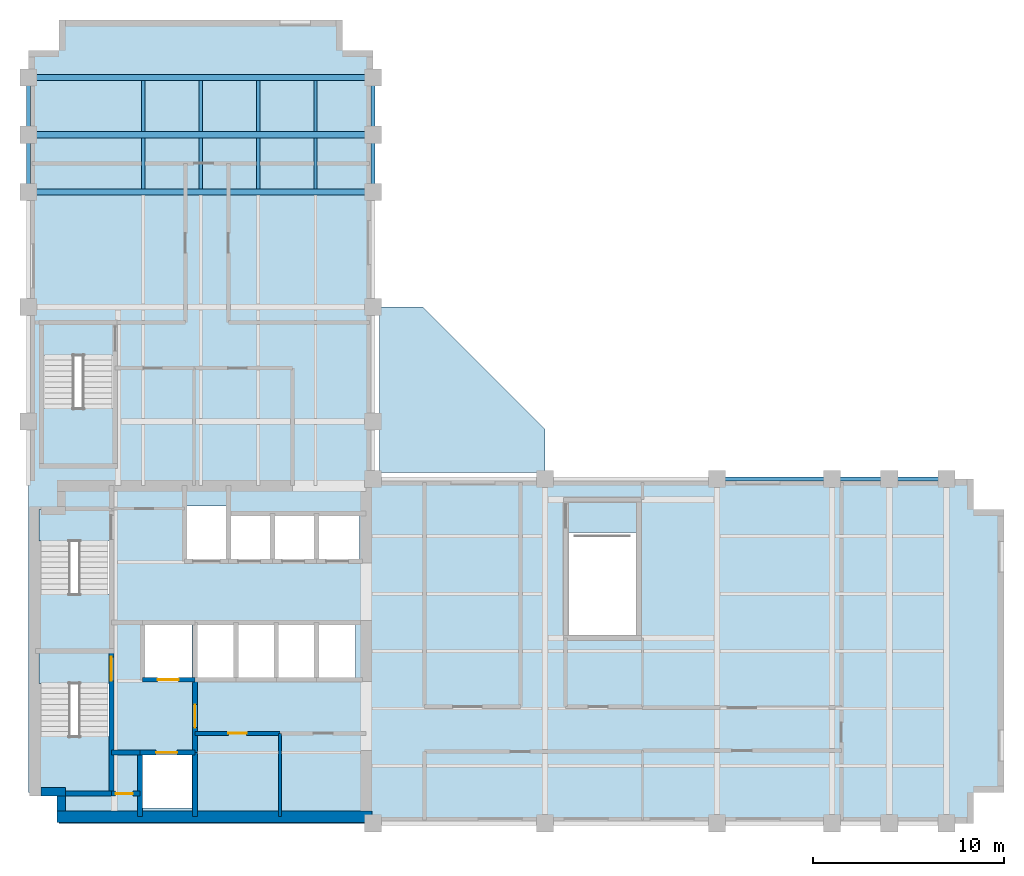
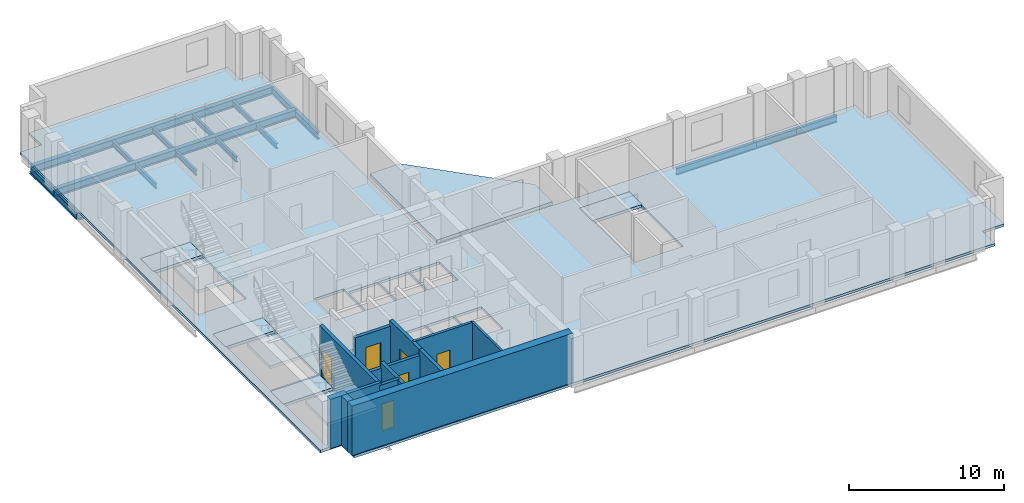
# One storey, part 2 of 6: 18 beams, 14 walls, 9 slabs, 6 doors, 6 openings, 3 elements without a shape of their own.
"""IFC4 building model written with IfcOpenShell, lengths in metres."""

from ifc_helpers import new_model, si_unit, direction, frame, frame_2d, origin, origin_2d, place, context, subcontext, project, spatial, polyline, rectangle, i_section, outline, extrude, material, layer, layer_set, material_profile, profile_set, type_object, element, fill, aggregate, save


model = new_model("IFC4")

# Units and contexts
model_context = context("Model", 3, precision=1e-05, world=origin(), true_north=direction((0.0, 1.0)))
body_context = subcontext(model_context, "Body", "Model", "MODEL_VIEW")
ifc_project = project(units=[si_unit("LENGTHUNIT", "METRE"), si_unit("AREAUNIT", "SQUARE_METRE"), si_unit("VOLUMEUNIT", "CUBIC_METRE"), si_unit("PLANEANGLEUNIT", "RADIAN"), si_unit("MASSUNIT", "GRAM", prefix="KILO")], contexts=[model_context])

# Site, building, storey
site_placement = place(None, origin())
site = spatial("IfcSite", under=ifc_project, at=site_placement, CompositionType="ELEMENT")
building_placement = place(site_placement, origin())
building = spatial("IfcBuilding", under=site, at=building_placement, Name="Mawjdan Bourse Tower", CompositionType="ELEMENT")
storey_placement = place(building_placement, frame((0.0, 0.0, 164.39990234375)))
storey = spatial("IfcBuildingStorey", under=building, at=storey_placement, Name="L39", CompositionType="ELEMENT", Elevation=164.39990234375)

# Beams
ifc_material_1 = material(Name="Structural Steel S355", Category="steel")
ifc_material_profile_1 = material_profile(ifc_material_1, i_section(OverallWidth=0.324951171875, OverallDepth=0.616943359375, WebThickness=0.013916015625, FlangeThickness=0.021484375, FilletRadius=0.017333984375, at=origin_2d()), Name="W24X117")
ifc_profile_set_1 = profile_set([ifc_material_profile_1], Name="Structural Steel S355")
beam_type_1 = type_object("IfcBeamType", Name="GRD-W24X117", PredefinedType="BEAM", material=ifc_profile_set_1)
for number, where, z_axis, x_axis, name in (
    (1, (6.0, 36.0, -0.50830078125), (1.0, 0.0, 0.0), (0.0, 1.0, 0.0), "L39 North Wing Clear-Span Girder 051"),
    (2, (6.0, 39.0, -0.50830078125), (1.0, 0.0, 0.0), (0.0, 1.0, 0.0), "L39 North Wing Clear-Span Girder 052"),
    (3, (6.0, 42.0, -0.50830078125), (1.0, 0.0, 0.0), (0.0, 1.0, 0.0), "L39 North Wing Clear-Span Girder 053"),
):
    element("IfcBeam", number, at=place(storey_placement, frame(where, z_axis=z_axis, x_axis=x_axis)), inside=storey, type_object=beam_type_1, Name=name, PredefinedType="BEAM", context=body_context, shape_type="SweptSolid", body=[
        extrude(i_section(OverallWidth=0.324951171875, OverallDepth=0.616943359375, WebThickness=0.013916015625, FlangeThickness=0.021484375, FilletRadius=0.017333984375, at=origin_2d()), origin(), (0.0, 0.0, 1.0), 18.0),
    ])
ifc_material_profile_2 = material_profile(ifc_material_1, i_section(OverallWidth=0.177978515625, OverallDepth=0.406982421875, WebThickness=0.0078125, FlangeThickness=0.0126953125, FilletRadius=0.01025390625, at=origin_2d()), Name="W16X40")
ifc_profile_set_2 = profile_set([ifc_material_profile_2], Name="Structural Steel S355")
beam_type_2 = type_object("IfcBeamType", Name="JST-W16X40", PredefinedType="JOIST", material=ifc_profile_set_2)
for number, where, z_axis, x_axis, name in (
    (4, (12.0, 36.160400390625, -0.4033203125), (0.0, 1.0, 0.0), (-1.0, 0.0, 0.0), "L39 North Wing Composite Joist 067"),
    (5, (12.0, 39.160400390625, -0.4033203125), (0.0, 1.0, 0.0), (-1.0, 0.0, 0.0), "L39 North Wing Composite Joist 068"),
    (6, (15.0, 36.160400390625, -0.4033203125), (0.0, 1.0, 0.0), (-1.0, 0.0, 0.0), "L39 North Wing Composite Joist 072"),
    (7, (15.0, 39.160400390625, -0.4033203125), (0.0, 1.0, 0.0), (-1.0, 0.0, 0.0), "L39 North Wing Composite Joist 073"),
    (8, (18.0, 36.160400390625, -0.4033203125), (0.0, 1.0, 0.0), (-1.0, 0.0, 0.0), "L39 North Wing Composite Joist 077"),
    (9, (18.0, 39.160400390625, -0.4033203125), (0.0, 1.0, 0.0), (-1.0, 0.0, 0.0), "L39 North Wing Composite Joist 078"),
    (10, (21.0, 36.160400390625, -0.4033203125), (0.0, 1.0, 0.0), (-1.0, 0.0, 0.0), "L39 North Wing Composite Joist 082"),
    (11, (21.0, 39.160400390625, -0.4033203125), (0.0, 1.0, 0.0), (-1.0, 0.0, 0.0), "L39 North Wing Composite Joist 083"),
):
    element("IfcBeam", number, at=place(storey_placement, frame(where, z_axis=z_axis, x_axis=x_axis)), inside=storey, type_object=beam_type_2, Name=name, PredefinedType="JOIST", context=body_context, shape_type="SweptSolid", body=[
        extrude(i_section(OverallWidth=0.177978515625, OverallDepth=0.406982421875, WebThickness=0.0078125, FlangeThickness=0.0126953125, FilletRadius=0.01025390625, at=origin_2d()), origin(), (0.0, 0.0, 1.0), 2.67919921875),
    ])
ifc_material_profile_3 = material_profile(ifc_material_1, i_section(OverallWidth=0.2119140625, OverallDepth=0.5439453125, WebThickness=0.01318359375, FlangeThickness=0.021240234375, FilletRadius=0.01708984375, at=origin_2d()), Name="W21X83")
ifc_profile_set_3 = profile_set([ifc_material_profile_3], Name="Structural Steel S355")
beam_type_3 = type_object("IfcBeamType", Name="SPN-W21X83", PredefinedType="SPANDREL", material=ifc_profile_set_3)
beam_placement = place(storey_placement, frame((42.0, 21.0, -0.531982421875), z_axis=(1.0, 0.0, 0.0), x_axis=(0.0, 1.0, 0.0)))
element("IfcBeam", 12, at=beam_placement, inside=storey, type_object=beam_type_3, Name="L39 Perimeter Masonry-Shelf Spandrel 014", PredefinedType="SPANDREL", context=body_context, shape_type="SweptSolid", body=[
    extrude(i_section(OverallWidth=0.2119140625, OverallDepth=0.5439453125, WebThickness=0.01318359375, FlangeThickness=0.021240234375, FilletRadius=0.01708984375, at=origin_2d()), origin(), (0.0, 0.0, 1.0), 6.0),
])
for number, where, z_axis, x_axis, name in (
    (13, (48.0, 21.0, -0.531982421875), (1.0, 0.0, 0.0), (0.0, 1.0, 0.0), "L39 Perimeter Masonry-Shelf Spandrel 015"),
    (14, (51.0, 21.0, -0.531982421875), (1.0, 0.0, 0.0), (0.0, 1.0, 0.0), "L39 Perimeter Masonry-Shelf Spandrel 016"),
    (15, (6.0, 36.0, -0.531982421875), (0.0, 1.0, 0.0), (-1.0, 0.0, 0.0), "L39 North Wing Spandrel 057"),
    (16, (6.0, 39.0, -0.531982421875), (0.0, 1.0, 0.0), (-1.0, 0.0, 0.0), "L39 North Wing Spandrel 058"),
    (17, (24.0, 36.0, -0.531982421875), (0.0, 1.0, 0.0), (-1.0, 0.0, 0.0), "L39 North Wing Spandrel 062"),
    (18, (24.0, 39.0, -0.531982421875), (0.0, 1.0, 0.0), (-1.0, 0.0, 0.0), "L39 North Wing Spandrel 063"),
):
    element("IfcBeam", number, at=place(storey_placement, frame(where, z_axis=z_axis, x_axis=x_axis)), inside=storey, type_object=beam_type_3, Name=name, PredefinedType="SPANDREL", context=body_context, shape_type="SweptSolid", body=[
        extrude(i_section(OverallWidth=0.2119140625, OverallDepth=0.5439453125, WebThickness=0.01318359375, FlangeThickness=0.021240234375, FilletRadius=0.01708984375, at=origin_2d()), origin(), (0.0, 0.0, 1.0), 3.0),
    ])

# Stair, slabs
ifc_material_2 = material(Name="Concrete C50/60", Category="concrete")
stair_type = type_object("IfcStairType", Name="STR-CORE-1500", PredefinedType="HALF_TURN_STAIR", material=ifc_material_2)
stair_1_placement = place(storey_placement, origin())
stair_1 = element("IfcStair", 19, at=stair_1_placement, inside=storey, type_object=stair_type, Name="L39 Exit Stair 1 (Core South-West)", PredefinedType="HALF_TURN_STAIR")
ifc_layer_1 = layer(ifc_material_2, 0.22998046875)
ifc_layer_set_1 = layer_set([ifc_layer_1], Name="Concrete C50/60")
slab_type_1 = type_object("IfcSlabType", Name="SL-LND-230", PredefinedType="LANDING", material=ifc_layer_set_1)
slab_1_placement = place(storey_placement, frame((0.0, 0.0, -0.22998046875)))
slab_1 = element("IfcSlab", 20, at=slab_1_placement, type_object=slab_type_1, Name="ST1-L39 landing 1", PredefinedType="LANDING", context=body_context, shape_type="SweptSolid", body=[
    extrude(outline(polyline([(6.5400390625, 10.31005859375), (10.260009765625, 10.31005859375), (10.260009765625, 11.969970703125), (6.5400390625, 11.969970703125), (6.5400390625, 10.31005859375)])), origin(), (0.0, 0.0, 1.0), 0.22998046875),
])
slab_2_placement = place(storey_placement, frame((0.0, 0.0, 1.72021484375)))
slab_2 = element("IfcSlab", 21, at=slab_2_placement, type_object=slab_type_1, Name="ST1-L39 landing 2", PredefinedType="LANDING", context=body_context, shape_type="SweptSolid", body=[
    extrude(outline(polyline([(6.5400390625, 4.590087890625), (10.260009765625, 4.590087890625), (10.260009765625, 7.5400390625), (6.5400390625, 7.5400390625), (6.5400390625, 4.590087890625)])), origin(), (0.0, 0.0, 1.0), 0.22998046875),
])
aggregate(stair_1, [slab_1, slab_2])

stair_2_placement = place(storey_placement, origin())
stair_2 = element("IfcStair", 22, at=stair_2_placement, inside=storey, type_object=stair_type, Name="L39 Exit Stair 2 (Core North-West)", PredefinedType="HALF_TURN_STAIR")
slab_3_placement = place(storey_placement, frame((0.0, 0.0, -0.22998046875)))
slab_3 = element("IfcSlab", 23, at=slab_3_placement, type_object=slab_type_1, Name="ST2-L39 landing 1", PredefinedType="LANDING", context=body_context, shape_type="SweptSolid", body=[
    extrude(outline(polyline([(6.5400390625, 17.75), (10.260009765625, 17.75), (10.260009765625, 19.409912109375), (6.5400390625, 19.409912109375), (6.5400390625, 17.75)])), origin(), (0.0, 0.0, 1.0), 0.22998046875),
])
slab_4_placement = place(storey_placement, frame((0.0, 0.0, 1.72021484375)))
slab_4 = element("IfcSlab", 24, at=slab_4_placement, type_object=slab_type_1, Name="ST2-L39 landing 2", PredefinedType="LANDING", context=body_context, shape_type="SweptSolid", body=[
    extrude(outline(polyline([(6.5400390625, 12.030029296875), (10.260009765625, 12.030029296875), (10.260009765625, 14.97998046875), (6.5400390625, 14.97998046875), (6.5400390625, 12.030029296875)])), origin(), (0.0, 0.0, 1.0), 0.22998046875),
])
aggregate(stair_2, [slab_3, slab_4])

stair_3_placement = place(storey_placement, origin())
stair_3 = element("IfcStair", 25, at=stair_3_placement, inside=storey, type_object=stair_type, Name="L39 Exit Stair 3 (North Wing)", PredefinedType="HALF_TURN_STAIR")
slab_5_placement = place(storey_placement, frame((0.0, 0.0, -0.22998046875)))
slab_5 = element("IfcSlab", 26, at=slab_5_placement, type_object=slab_type_1, Name="ST3-L39 landing 1", PredefinedType="LANDING", context=body_context, shape_type="SweptSolid", body=[
    extrude(outline(polyline([(6.739990234375, 27.4599609375), (10.4599609375, 27.4599609375), (10.4599609375, 29.1201171875), (6.739990234375, 29.1201171875), (6.739990234375, 27.4599609375)])), origin(), (0.0, 0.0, 1.0), 0.22998046875),
])
slab_6_placement = place(storey_placement, frame((0.0, 0.0, 1.72021484375)))
slab_6 = element("IfcSlab", 27, at=slab_6_placement, type_object=slab_type_1, Name="ST3-L39 landing 2", PredefinedType="LANDING", context=body_context, shape_type="SweptSolid", body=[
    extrude(outline(polyline([(6.739990234375, 21.739990234375), (10.4599609375, 21.739990234375), (10.4599609375, 24.68994140625), (6.739990234375, 24.68994140625), (6.739990234375, 21.739990234375)])), origin(), (0.0, 0.0, 1.0), 0.22998046875),
])
aggregate(stair_3, [slab_5, slab_6])

# Slabs
slab_7_placement = place(storey_placement, frame((0.0, 0.0, -0.22998046875)))
element("IfcSlab", 28, at=slab_7_placement, inside=storey, type_object=slab_type_1, Name="L39 ST5B Top Arrival Landing", PredefinedType="LANDING", context=body_context, shape_type="SweptSolid", body=[
    extrude(outline(polyline([(34.139892578125, 18.199951171875), (37.860107421875, 18.199951171875), (37.860107421875, 19.860107421875), (34.139892578125, 19.860107421875), (34.139892578125, 18.199951171875)])), origin(), (0.0, 0.0, 1.0), 0.22998046875),
])
ifc_layer_2 = layer(ifc_material_2, 0.199951171875)
ifc_layer_set_2 = layer_set([ifc_layer_2], Name="Concrete C50/60")
slab_type_2 = type_object("IfcSlabType", Name="SL-OFC-200", PredefinedType="FLOOR", material=ifc_layer_set_2)
slab_8_placement = place(storey_placement, frame((0.0, 0.0, -0.199951171875)))
element("IfcSlab", 29, at=slab_8_placement, inside=storey, type_object=slab_type_2, Name="L39 Structural Floor Slab 1", PredefinedType="FLOOR", context=body_context, shape_type="SweptSolid", body=[
    extrude(outline(polyline([(7.60009765625, 3.0), (55.39990234375, 3.0), (55.39990234375, 4.60009765625), (57.0, 4.60009765625), (57.0, 19.39990234375), (55.39990234375, 19.39990234375), (55.39990234375, 21.0), (24.0, 21.0), (24.0, 43.39990234375), (22.39990234375, 43.39990234375), (22.39990234375, 45.0), (7.60009765625, 45.0), (7.60009765625, 43.39990234375), (6.0, 43.39990234375), (6.0, 4.60009765625), (7.60009765625, 4.60009765625), (7.60009765625, 3.0)]), holes=[polyline([(11.949951171875, 3.800048828125), (11.949951171875, 6.60009765625), (14.550048828125, 6.60009765625), (14.550048828125, 3.800048828125), (11.949951171875, 3.800048828125)]), polyline([(6.60009765625, 10.31005859375), (6.5400390625, 10.31005859375), (6.5400390625, 11.969970703125), (10.260009765625, 11.969970703125), (10.260009765625, 10.31005859375), (10.199951171875, 10.31005859375), (10.199951171875, 4.64990234375), (6.60009765625, 4.64990234375), (6.60009765625, 10.31005859375)]), polyline([(12.050048828125, 10.60009765625), (12.050048828125, 13.39990234375), (14.550048828125, 13.39990234375), (14.550048828125, 10.60009765625), (12.050048828125, 10.60009765625)]), polyline([(6.60009765625, 17.75), (6.5400390625, 17.75), (6.5400390625, 19.409912109375), (10.260009765625, 19.409912109375), (10.260009765625, 17.75), (10.199951171875, 17.75), (10.199951171875, 12.090087890625), (6.60009765625, 12.090087890625), (6.60009765625, 17.75)]), polyline([(14.199951171875, 16.800048828125), (14.199951171875, 19.60009765625), (16.39990234375, 19.60009765625), (16.39990234375, 16.800048828125), (14.199951171875, 16.800048828125)]), polyline([(10.4599609375, 27.4599609375), (10.39990234375, 27.4599609375), (10.39990234375, 21.800048828125), (6.800048828125, 21.800048828125), (6.800048828125, 27.4599609375), (6.739990234375, 27.4599609375), (6.739990234375, 29.1201171875), (10.4599609375, 29.1201171875), (10.4599609375, 27.4599609375)]), polyline([(14.800048828125, 10.60009765625), (14.800048828125, 13.39990234375), (16.800048828125, 13.39990234375), (16.800048828125, 10.60009765625), (14.800048828125, 10.60009765625)]), polyline([(16.89990234375, 10.60009765625), (16.89990234375, 13.39990234375), (18.89990234375, 13.39990234375), (18.89990234375, 10.60009765625), (16.89990234375, 10.60009765625)]), polyline([(19.0, 10.60009765625), (19.0, 13.39990234375), (21.0, 13.39990234375), (21.0, 10.60009765625), (19.0, 10.60009765625)]), polyline([(21.10009765625, 10.60009765625), (21.10009765625, 13.39990234375), (23.10009765625, 13.39990234375), (23.10009765625, 10.60009765625), (21.10009765625, 10.60009765625)]), polyline([(34.199951171875, 18.199951171875), (34.139892578125, 18.199951171875), (34.139892578125, 19.860107421875), (37.860107421875, 19.860107421875), (37.860107421875, 18.199951171875), (37.800048828125, 18.199951171875), (37.800048828125, 12.800048828125), (34.199951171875, 12.800048828125), (34.199951171875, 18.199951171875)]), polyline([(16.5, 16.800048828125), (16.5, 19.14990234375), (18.699951171875, 19.14990234375), (18.699951171875, 16.800048828125), (16.5, 16.800048828125)]), polyline([(18.800048828125, 16.800048828125), (18.800048828125, 19.14990234375), (21.0, 19.14990234375), (21.0, 16.800048828125), (18.800048828125, 16.800048828125)]), polyline([(21.10009765625, 19.14990234375), (23.300048828125, 19.14990234375), (23.300048828125, 16.800048828125), (21.10009765625, 16.800048828125), (21.10009765625, 19.14990234375)])]), origin(), (0.0, 0.0, 1.0), 0.199951171875),
])
ifc_layer_3 = layer(ifc_material_2, 0.260009765625)
ifc_layer_set_3 = layer_set([ifc_layer_3], Name="Concrete C50/60")
slab_type_3 = type_object("IfcSlabType", Name="SL-ROOF-260", PredefinedType="ROOF", material=ifc_layer_set_3)
slab_9_placement = place(storey_placement, frame((0.0, 0.0, -0.260009765625)))
element("IfcSlab", 30, at=slab_9_placement, inside=storey, type_object=slab_type_3, Name="L39 Setback Weather Roof 1", PredefinedType="ROOF", context=body_context, shape_type="SweptSolid", body=[
    extrude(outline(polyline([(24.3701171875, 30.0), (24.367919921875, 30.0), (24.3662109375, 29.99951171875), (24.3642578125, 29.9990234375), (24.3623046875, 29.99853515625), (24.360595703125, 29.99755859375), (24.35888671875, 29.99658203125), (24.357421875, 29.99560546875), (24.35595703125, 29.994140625), (24.3544921875, 29.99267578125), (24.353515625, 29.9912109375), (24.352294921875, 29.989501953125), (24.3515625, 29.98779296875), (24.350830078125, 29.98583984375), (24.350341796875, 29.98388671875), (24.35009765625, 29.98193359375), (24.35009765625, 29.97998046875), (24.35009765625, 21.3701171875), (24.35009765625, 21.367919921875), (24.350341796875, 21.3662109375), (24.350830078125, 21.3642578125), (24.3515625, 21.3623046875), (24.352294921875, 21.360595703125), (24.353515625, 21.35888671875), (24.3544921875, 21.357421875), (24.35595703125, 21.35595703125), (24.357421875, 21.3544921875), (24.35888671875, 21.353515625), (24.360595703125, 21.352294921875), (24.3623046875, 21.3515625), (24.3642578125, 21.350830078125), (24.3662109375, 21.350341796875), (24.367919921875, 21.35009765625), (24.3701171875, 21.35009765625), (32.97998046875, 21.35009765625), (32.98193359375, 21.35009765625), (32.98388671875, 21.350341796875), (32.98583984375, 21.350830078125), (32.98779296875, 21.3515625), (32.989501953125, 21.352294921875), (32.9912109375, 21.353515625), (32.99267578125, 21.3544921875), (32.994140625, 21.35595703125), (32.99560546875, 21.357421875), (32.99658203125, 21.35888671875), (32.99755859375, 21.360595703125), (32.99853515625, 21.3623046875), (32.9990234375, 21.3642578125), (32.99951171875, 21.3662109375), (33.0, 21.367919921875), (33.0, 21.3701171875), (33.0, 23.591796875), (33.0, 23.59375), (32.99951171875, 23.595703125), (32.9990234375, 23.597412109375), (32.99853515625, 23.599365234375), (32.99755859375, 23.60107421875), (32.99658203125, 23.602783203125), (32.99560546875, 23.6044921875), (32.994140625, 23.60595703125), (26.60595703125, 29.994140625), (26.6044921875, 29.99560546875), (26.602783203125, 29.99658203125), (26.60107421875, 29.99755859375), (26.599365234375, 29.99853515625), (26.597412109375, 29.9990234375), (26.595703125, 29.99951171875), (26.59375, 30.0), (26.591796875, 30.0), (24.3701171875, 30.0)])), origin(), (0.0, 0.0, 1.0), 0.260009765625),
])

# Wall, opening, door
ifc_material_3 = material(Name="Gypsum Fireboard Assembly")
ifc_layer_4 = layer(ifc_material_3, 0.199951171875)
ifc_layer_set_4 = layer_set([ifc_layer_4], Name="Gypsum Fireboard Assembly")
wall_type_1 = type_object("IfcWallType", Name="WL-CMP-200", PredefinedType="PARTITIONING", material=ifc_layer_set_4)
wall_1_placement = place(storey_placement, frame((14.699951171875, 7.699951171875, 0.0), z_axis=(0.0, 0.0, 1.0), x_axis=(1.0, 0.0, 0.0)))
wall_1 = element("IfcWall", 31, at=wall_1_placement, inside=storey, type_object=wall_type_1, Name="L39 Staff Tea Pantry North Wall", PredefinedType="PARTITIONING", context=body_context, shape_type="SweptSolid", body=[
    extrude(rectangle(XDim=4.449951171875, YDim=0.199951171875, at=frame_2d((2.22509765625, 0.0))), origin(), (0.0, 0.0, 1.0), 3.690185546875),
])
opening_1_placement = place(wall_1_placement, frame((1.75, 0.0, 0.0)))
opening_1 = element("IfcOpeningElement", 32, at=opening_1_placement, cuts=wall_1, Name="Opening D-L39-13", PredefinedType="OPENING", context=body_context, shape_type="SweptSolid", body=[
    extrude(rectangle(XDim=0.949951171875, YDim=2.10009765625, at=frame_2d((0.47509765625, 1.050048828125))), frame((0.0, 0.10986328125, 0.0), z_axis=(0.0, -1.0, 0.0), x_axis=(1.0, 0.0, 0.0)), (0.0, 0.0, 1.0), 0.219970703125),
])
ifc_material_4 = material(Name="Moisture-Resistant Laminate Timber", Category="wood")
door_type_1 = type_object("IfcDoorType", Name="DR-WET-0950", OperationType="NOTDEFINED", PredefinedType="DOOR", material=ifc_material_4)
door_1_placement = place(opening_1_placement, origin())
door_1 = element("IfcDoor", 33, at=door_1_placement, inside=storey, type_object=door_type_1, Name="L39 Staff Tea Pantry Door D-L39-13", OperationType="SINGLE_SWING_RIGHT", OverallHeight=2.10009765625, OverallWidth=0.949951171875, PredefinedType="DOOR", context=body_context, shape_type="SweptSolid", body=[
    extrude(rectangle(XDim=0.949951171875, YDim=2.10009765625, at=frame_2d((0.47509765625, 1.050048828125))), frame((0.0, 0.02490234375, 0.0), z_axis=(0.0, -1.0, 0.0), x_axis=(1.0, 0.0, 0.0)), (0.0, 0.0, 1.0), 0.050048828125),
])
fill(opening_1, door_1)

# Walls
ifc_material_5 = material(Name="Concrete C60/75", Category="concrete")
ifc_layer_5 = layer(ifc_material_5, 0.449951171875)
ifc_layer_set_5 = layer_set([ifc_layer_5], Name="Concrete C60/75")
wall_type_2 = type_object("IfcWallType", Name="WL-CORE-450", PredefinedType="SHEAR", material=ifc_layer_set_5)
wall_2_placement = place(storey_placement, frame((6.64990234375, 4.64990234375, 0.0), z_axis=(0.0, 0.0, 1.0), x_axis=(1.0, 0.0, 0.0)))
element("IfcWall", 34, at=wall_2_placement, inside=storey, type_object=wall_type_2, Name="L39 Rear Core Shear Wall SW-X", PredefinedType="SHEAR", context=body_context, shape_type="SweptSolid", body=[
    extrude(rectangle(XDim=1.275146484375, YDim=0.449951171875, at=frame_2d((0.6376953125, 0.0))), origin(), (0.0, 0.0, 1.0), 3.900146484375),
])
wall_3_placement = place(storey_placement, frame((7.699951171875, 3.64990234375, 0.0), z_axis=(0.0, 0.0, 1.0), x_axis=(0.0, 1.0, 0.0)))
element("IfcWall", 35, at=wall_3_placement, inside=storey, type_object=wall_type_2, Name="L39 Rear Core Shear Wall SW-Y", PredefinedType="SHEAR", context=body_context, shape_type="SweptSolid", body=[
    extrude(rectangle(XDim=0.775146484375, YDim=0.449951171875, at=frame_2d((0.3876953125, 0.0))), origin(), (0.0, 0.0, 1.0), 3.900146484375),
])
ifc_material_6 = material(Name="Concrete C70/85", Category="concrete")
ifc_layer_6 = layer(ifc_material_6, 0.60009765625)
ifc_layer_set_6 = layer_set([ifc_layer_6], Name="Concrete C70/85")
wall_type_3 = type_object("IfcWallType", Name="WL-CORE-600", PredefinedType="SHEAR", material=ifc_layer_set_6)
wall_4_placement = place(storey_placement, frame((7.47509765625, 3.35009765625, 0.0), z_axis=(0.0, 0.0, 1.0), x_axis=(1.0, 0.0, 0.0)))
element("IfcWall", 36, at=wall_4_placement, inside=storey, type_object=wall_type_3, Name="L39 Rear Core Shear Wall S", PredefinedType="SHEAR", context=body_context, shape_type="SweptSolid", body=[
    extrude(rectangle(XDim=16.474853515625, YDim=0.60009765625, at=frame_2d((8.2373046875, 0.0))), origin(), (0.0, 0.0, 1.0), 3.900146484375),
])
ifc_material_7 = material(Name="Gypsum Acoustic Partition")
ifc_layer_7 = layer(ifc_material_7, 0.14990234375)
ifc_layer_set_7 = layer_set([ifc_layer_7], Name="Gypsum Acoustic Partition")
wall_type_4 = type_object("IfcWallType", Name="WL-PRT-150", PredefinedType="PARTITIONING", material=ifc_layer_set_7)
wall_5_placement = place(storey_placement, frame((19.14990234375, 3.35009765625, 0.0), z_axis=(0.0, 0.0, 1.0), x_axis=(0.0, 1.0, 0.0)))
element("IfcWall", 37, at=wall_5_placement, inside=storey, type_object=wall_type_4, Name="L39 Document Custody Office Core Split Wall", PredefinedType="PARTITIONING", context=body_context, shape_type="SweptSolid", body=[
    extrude(rectangle(XDim=4.349853515625, YDim=0.14990234375, at=frame_2d((2.1748046875, 0.0))), origin(), (0.0, 0.0, 1.0), 3.690185546875),
])

# Wall, opening, door
ifc_layer_8 = layer(ifc_material_2, 0.25)
ifc_layer_set_8 = layer_set([ifc_layer_8], Name="Concrete C50/60")
wall_type_5 = type_object("IfcWallType", Name="WL-SHFT-250", PredefinedType="PARTITIONING", material=ifc_layer_set_8)
wall_6_placement = place(storey_placement, frame((10.330078125, 4.550048828125, 0.0), z_axis=(0.0, 0.0, 1.0), x_axis=(1.0, 0.0, 0.0)))
wall_6 = element("IfcWall", 38, at=wall_6_placement, inside=storey, type_object=wall_type_5, Name="L39 SW Riser North Wall", PredefinedType="PARTITIONING", context=body_context, shape_type="SweptSolid", body=[
    extrude(rectangle(XDim=1.489990234375, YDim=0.25, at=frame_2d((0.7451171875, 0.0))), origin(), (0.0, 0.0, 1.0), 3.690185546875),
])
opening_2_placement = place(wall_6_placement, frame((0.219970703125, 0.0, 0.0)))
opening_2 = element("IfcOpeningElement", 39, at=opening_2_placement, cuts=wall_6, Name="Opening RD-L39-03", PredefinedType="OPENING", context=body_context, shape_type="SweptSolid", body=[
    extrude(rectangle(XDim=0.89990234375, YDim=2.10009765625, at=frame_2d((0.449951171875, 1.050048828125))), frame((0.0, 0.135009765625, 0.0), z_axis=(0.0, -1.0, 0.0), x_axis=(1.0, 0.0, 0.0)), (0.0, 0.0, 1.0), 0.27001953125),
])
ifc_material_8 = material(Name="Fire-Rated Steel Access Leaf", Category="steel")
door_type_2 = type_object("IfcDoorType", Name="FD-RSR-0900", OperationType="NOTDEFINED", PredefinedType="TRAPDOOR", material=ifc_material_8)
door_2_placement = place(opening_2_placement, origin())
door_2 = element("IfcDoor", 40, at=door_2_placement, inside=storey, type_object=door_type_2, Name="L39 Electrical Riser Access Door RD-L39-03", OperationType="SINGLE_SWING_RIGHT", OverallHeight=2.10009765625, OverallWidth=0.89990234375, PredefinedType="TRAPDOOR", context=body_context, shape_type="SweptSolid", body=[
    extrude(rectangle(XDim=0.89990234375, YDim=2.10009765625, at=frame_2d((0.449951171875, 1.050048828125))), frame((0.0, 0.02490234375, 0.0), z_axis=(0.0, -1.0, 0.0), x_axis=(1.0, 0.0, 0.0)), (0.0, 0.0, 1.0), 0.050048828125),
])
fill(opening_2, door_2)

# Wall
wall_7_placement = place(storey_placement, frame((11.820068359375, 3.35009765625, 0.0), z_axis=(0.0, 0.0, 1.0), x_axis=(0.0, 1.0, 0.0)))
element("IfcWall", 41, at=wall_7_placement, inside=storey, type_object=wall_type_5, Name="L39 SW Riser & FFL01 West Wall", PredefinedType="PARTITIONING", context=body_context, shape_type="SweptSolid", body=[
    extrude(rectangle(XDim=3.349853515625, YDim=0.25, at=frame_2d((1.6748046875, 0.0))), origin(), (0.0, 0.0, 1.0), 3.690185546875),
])

# Wall, opening, door
wall_8_placement = place(storey_placement, frame((11.820068359375, 6.699951171875, 0.0), z_axis=(0.0, 0.0, 1.0), x_axis=(1.0, 0.0, 0.0)))
wall_8 = element("IfcWall", 42, at=wall_8_placement, inside=storey, type_object=wall_type_5, Name="L39 FFL-01 Front Shaft Wall", PredefinedType="PARTITIONING", context=body_context, shape_type="SweptSolid", body=[
    extrude(rectangle(XDim=2.8798828125, YDim=0.25, at=frame_2d((1.43994140625, 0.0))), origin(), (0.0, 0.0, 1.0), 3.283203125),
])
opening_3_placement = place(wall_8_placement, frame((0.85009765625, 0.0, 0.0)))
opening_3 = element("IfcOpeningElement", 43, at=opening_3_placement, cuts=wall_8, Name="Opening LD-L39-05", PredefinedType="OPENING", context=body_context, shape_type="SweptSolid", body=[
    extrude(rectangle(XDim=1.10009765625, YDim=2.25, at=frame_2d((0.550048828125, 1.125))), frame((0.0, 0.135009765625, 0.0), z_axis=(0.0, -1.0, 0.0), x_axis=(1.0, 0.0, 0.0)), (0.0, 0.0, 1.0), 0.27001953125),
])
ifc_material_9 = material(Name="Brushed Stainless Steel", Category="steel")
door_type_3 = type_object("IfcDoorType", Name="LD-FFL-1100", OperationType="DOUBLE_DOOR_SLIDING", PredefinedType="DOOR", material=ifc_material_9)
door_3_placement = place(opening_3_placement, origin())
door_3 = element("IfcDoor", 44, at=door_3_placement, inside=storey, type_object=door_type_3, Name="L39 Firefighting Lift FFL-01 Landing Door LD-L39-05", OperationType="DOUBLE_DOOR_SLIDING", OverallHeight=2.25, OverallWidth=1.10009765625, PredefinedType="DOOR", context=body_context, shape_type="SweptSolid", body=[
    extrude(rectangle(XDim=1.10009765625, YDim=2.25, at=frame_2d((0.550048828125, 1.125))), frame((0.0, 0.02490234375, 0.0), z_axis=(0.0, -1.0, 0.0), x_axis=(1.0, 0.0, 0.0)), (0.0, 0.0, 1.0), 0.050048828125),
])
fill(opening_3, door_3)

# Wall
wall_9_placement = place(storey_placement, frame((14.699951171875, 3.35009765625, 0.0), z_axis=(0.0, 0.0, 1.0), x_axis=(0.0, 1.0, 0.0)))
element("IfcWall", 45, at=wall_9_placement, inside=storey, type_object=wall_type_5, Name="L39 FFL-01 East Shaft Wall", PredefinedType="PARTITIONING", context=body_context, shape_type="SweptSolid", body=[
    extrude(rectangle(XDim=3.349853515625, YDim=0.25, at=frame_2d((1.6748046875, 0.0))), origin(), (0.0, 0.0, 1.0), 3.690185546875),
])

# Wall, opening, door
wall_10_placement = place(storey_placement, frame((11.949951171875, 10.5, 0.0), z_axis=(0.0, 0.0, 1.0), x_axis=(1.0, 0.0, 0.0)))
wall_10 = element("IfcWall", 46, at=wall_10_placement, inside=storey, type_object=wall_type_5, Name="L39 FFL-02 Front Shaft Wall", PredefinedType="PARTITIONING", context=body_context, shape_type="SweptSolid", body=[
    extrude(rectangle(XDim=2.75, YDim=0.25, at=frame_2d((1.375, 0.0))), origin(), (0.0, 0.0, 1.0), 3.283203125),
])
opening_4_placement = place(wall_10_placement, frame((0.800048828125, 0.0, 0.0)))
opening_4 = element("IfcOpeningElement", 47, at=opening_4_placement, cuts=wall_10, Name="Opening LD-L39-06", PredefinedType="OPENING", context=body_context, shape_type="SweptSolid", body=[
    extrude(rectangle(XDim=1.10009765625, YDim=2.25, at=frame_2d((0.550048828125, 1.125))), frame((0.0, 0.135009765625, 0.0), z_axis=(0.0, -1.0, 0.0), x_axis=(1.0, 0.0, 0.0)), (0.0, 0.0, 1.0), 0.27001953125),
])
door_4_placement = place(opening_4_placement, origin())
door_4 = element("IfcDoor", 48, at=door_4_placement, inside=storey, type_object=door_type_3, Name="L39 Firefighting Lift FFL-02 Landing Door LD-L39-06", OperationType="DOUBLE_DOOR_SLIDING", OverallHeight=2.25, OverallWidth=1.10009765625, PredefinedType="DOOR", context=body_context, shape_type="SweptSolid", body=[
    extrude(rectangle(XDim=1.10009765625, YDim=2.25, at=frame_2d((0.550048828125, 1.125))), frame((0.0, 0.02490234375, 0.0), z_axis=(0.0, -1.0, 0.0), x_axis=(1.0, 0.0, 0.0)), (0.0, 0.0, 1.0), 0.050048828125),
])
fill(opening_4, door_4)

wall_11_placement = place(storey_placement, frame((14.699951171875, 6.699951171875, 0.0), z_axis=(0.0, 0.0, 1.0), x_axis=(0.0, 1.0, 0.0)))
wall_11 = element("IfcWall", 49, at=wall_11_placement, inside=storey, type_object=wall_type_5, Name="L39 Firefighting Lobby East Compartment Wall", PredefinedType="PARTITIONING", context=body_context, shape_type="SweptSolid", body=[
    extrude(rectangle(XDim=3.800048828125, YDim=0.25, at=frame_2d((1.89990234375, 0.0))), origin(), (0.0, 0.0, 1.0), 3.690185546875),
])
opening_5_placement = place(wall_11_placement, frame((1.300048828125, 0.0, 0.0)))
opening_5 = element("IfcOpeningElement", 50, at=opening_5_placement, cuts=wall_11, Name="Opening FD-L39-07", PredefinedType="OPENING", context=body_context, shape_type="SweptSolid", body=[
    extrude(rectangle(XDim=1.199951171875, YDim=2.199951171875, at=frame_2d((0.60009765625, 1.10009765625))), frame((0.0, 0.135009765625, 0.0), z_axis=(0.0, -1.0, 0.0), x_axis=(1.0, 0.0, 0.0)), (0.0, 0.0, 1.0), 0.27001953125),
])
ifc_material_10 = material(Name="Fire-Rated Steel Leaf", Category="steel")
door_type_4 = type_object("IfcDoorType", Name="FD-FFL-1200", OperationType="NOTDEFINED", PredefinedType="DOOR", material=ifc_material_10)
door_5_placement = place(opening_5_placement, origin())
door_5 = element("IfcDoor", 51, at=door_5_placement, inside=storey, type_object=door_type_4, Name="L39 Firefighting Lobby East Smoke Door FD-L39-07", OperationType="SINGLE_SWING_RIGHT", OverallHeight=2.199951171875, OverallWidth=1.199951171875, PredefinedType="DOOR", context=body_context, shape_type="SweptSolid", body=[
    extrude(rectangle(XDim=1.199951171875, YDim=2.199951171875, at=frame_2d((0.60009765625, 1.10009765625))), frame((0.0, 0.02490234375, 0.0), z_axis=(0.0, -1.0, 0.0), x_axis=(1.0, 0.0, 0.0)), (0.0, 0.0, 1.0), 0.050048828125),
])
fill(opening_5, door_5)

# Walls
wall_12_placement = place(storey_placement, frame((10.330078125, 6.699951171875, 0.0), z_axis=(0.0, 0.0, 1.0), x_axis=(1.0, 0.0, 0.0)))
element("IfcWall", 52, at=wall_12_placement, inside=storey, type_object=wall_type_5, Name="L39 Firefighting Lobby South Closure Wall", PredefinedType="PARTITIONING", context=body_context, shape_type="SweptSolid", body=[
    extrude(rectangle(XDim=1.489990234375, YDim=0.25, at=frame_2d((0.7451171875, 0.0))), origin(), (0.0, 0.0, 1.0), 3.283203125),
])
ifc_layer_9 = layer(ifc_material_2, 0.25)
ifc_layer_set_9 = layer_set([ifc_layer_9], Name="Concrete C50/60")
wall_type_6 = type_object("IfcWallType", Name="WL-STRW-250", PredefinedType="SHEAR", material=ifc_layer_set_9)
wall_13_placement = place(storey_placement, frame((7.699951171875, 4.550048828125, 0.0), z_axis=(0.0, 0.0, 1.0), x_axis=(1.0, 0.0, 0.0)))
element("IfcWall", 53, at=wall_13_placement, inside=storey, type_object=wall_type_6, Name="L39 Stairwell ST1 South Shaft Wall", PredefinedType="SHEAR", context=body_context, shape_type="SweptSolid", body=[
    extrude(rectangle(XDim=2.755126953125, YDim=0.25, at=frame_2d((1.37744140625, 0.0))), origin(), (0.0, 0.0, 1.0), 3.900146484375),
])

# Wall, opening, door
wall_14_placement = place(storey_placement, frame((10.330078125, 4.550048828125, 0.0), z_axis=(0.0, 0.0, 1.0), x_axis=(0.0, 1.0, 0.0)))
wall_14 = element("IfcWall", 54, at=wall_14_placement, inside=storey, type_object=wall_type_6, Name="L39 Stairwell ST1 East Enclosure Wall", PredefinedType="SHEAR", context=body_context, shape_type="SweptSolid", body=[
    extrude(rectangle(XDim=7.449951171875, YDim=0.25, at=frame_2d((3.72509765625, 0.0))), origin(), (0.0, 0.0, 1.0), 3.900146484375),
])
opening_6_placement = place(wall_14_placement, frame((5.89990234375, 0.0, 0.0)))
opening_6 = element("IfcOpeningElement", 55, at=opening_6_placement, cuts=wall_14, Name="Opening SD-L39-01", PredefinedType="OPENING", context=body_context, shape_type="SweptSolid", body=[
    extrude(rectangle(XDim=1.25, YDim=2.199951171875, at=frame_2d((0.625, 1.10009765625))), frame((0.0, 0.135009765625, 0.0), z_axis=(0.0, -1.0, 0.0), x_axis=(1.0, 0.0, 0.0)), (0.0, 0.0, 1.0), 0.27001953125),
])
door_type_5 = type_object("IfcDoorType", Name="FD-ST-1250", OperationType="NOTDEFINED", PredefinedType="DOOR", material=ifc_material_10)
door_6_placement = place(opening_6_placement, origin())
door_6 = element("IfcDoor", 56, at=door_6_placement, inside=storey, type_object=door_type_5, Name="L39 Exit Stair ST1 Fire Door SD-L39-01", OperationType="SINGLE_SWING_RIGHT", OverallHeight=2.199951171875, OverallWidth=1.25, PredefinedType="DOOR", context=body_context, shape_type="SweptSolid", body=[
    extrude(rectangle(XDim=1.25, YDim=2.199951171875, at=frame_2d((0.625, 1.10009765625))), frame((0.0, 0.02490234375, 0.0), z_axis=(0.0, -1.0, 0.0), x_axis=(1.0, 0.0, 0.0)), (0.0, 0.0, 1.0), 0.050048828125),
])
fill(opening_6, door_6)

save(model, "model.ifc")
